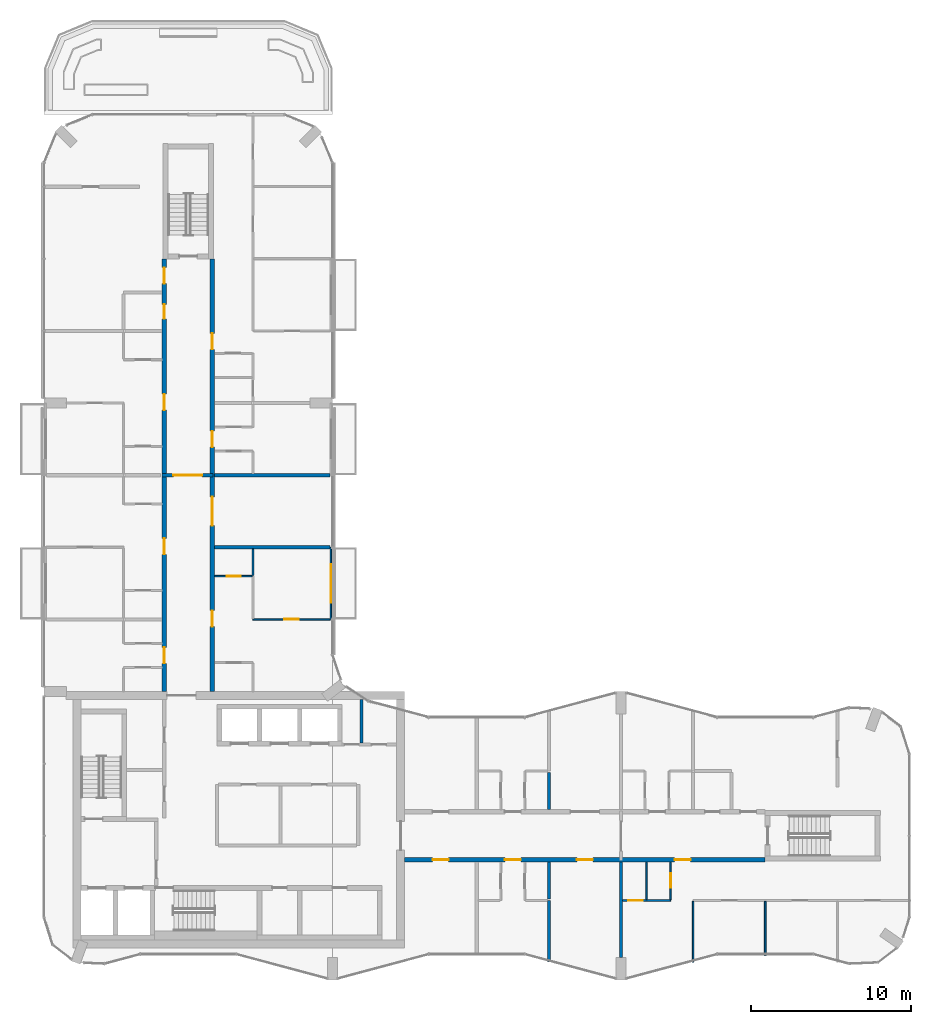
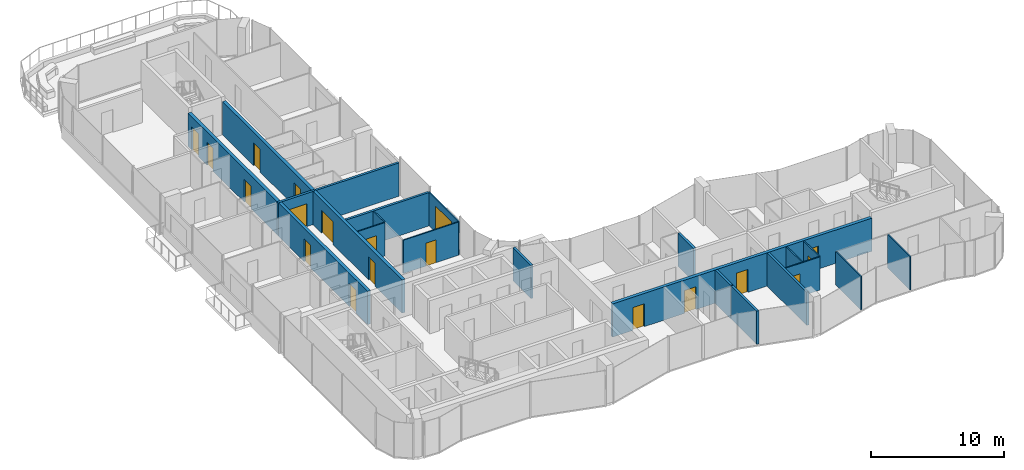
# One storey, part 11 of 17: 20 walls, 19 doors, 19 openings.
"""IFC4 building model written with IfcOpenShell, lengths in metres."""

from ifc_helpers import new_model, si_unit, direction, frame, frame_2d, origin, place, context, subcontext, project, spatial, rectangle, extrude, material, layer, layer_set, type_object, element, fill, save


model = new_model("IFC4")

# Units and contexts
model_context = context("Model", 3, precision=1e-05, world=origin(), true_north=direction((0.0, 1.0)))
body_context = subcontext(model_context, "Body", "Model", "MODEL_VIEW")
ifc_project = project(units=[si_unit("LENGTHUNIT", "METRE"), si_unit("AREAUNIT", "SQUARE_METRE"), si_unit("VOLUMEUNIT", "CUBIC_METRE"), si_unit("PLANEANGLEUNIT", "RADIAN"), si_unit("MASSUNIT", "GRAM", prefix="KILO")], contexts=[model_context])

# Site, building, storey
site_placement = place(None, origin())
site = spatial("IfcSite", under=ifc_project, at=site_placement, CompositionType="ELEMENT")
building_placement = place(site_placement, origin())
building = spatial("IfcBuilding", under=site, at=building_placement, Name="Plateau Cross Towers", CompositionType="ELEMENT")
storey_placement = place(building_placement, frame((0.0, 0.0, 225.89990234375)))
storey = spatial("IfcBuildingStorey", under=building, at=storey_placement, Name="L59", CompositionType="ELEMENT", Elevation=225.89990234375)

# Wall, opening, door
ifc_material_1 = material(Name="Aluminium framed glazing", Category="aluminium")
ifc_layer_1 = layer(ifc_material_1, 0.10009765625)
ifc_layer_set_1 = layer_set([ifc_layer_1], Name="Aluminium framed glazing")
wall_type_1 = type_object("IfcWallType", Name="Balcony screen wall 100", PredefinedType="STANDARD", material=ifc_layer_set_1)
wall_1_placement = place(storey_placement, frame((17.89990234375, 27.0, 0.0), z_axis=(0.0, 0.0, 1.0), x_axis=(0.0, -1.0, 0.0)))
wall_1 = element("IfcWall", 1, at=wall_1_placement, inside=storey, type_object=wall_type_1, Name="Balcony screen wall A-BAL-L59-03", PredefinedType="STANDARD", context=body_context, shape_type="SweptSolid", body=[
    extrude(rectangle(XDim=4.5, YDim=0.10009765625, at=frame_2d((2.25, 0.0))), origin(), (0.0, 0.0, 1.0), 3.050048828125),
])
opening_1_placement = place(wall_1_placement, frame((1.050048828125, 0.0, 0.0)))
opening_1 = element("IfcOpeningElement", 2, at=opening_1_placement, cuts=wall_1, Name="Opening D-B24", PredefinedType="OPENING", context=body_context, shape_type="SweptSolid", body=[
    extrude(rectangle(XDim=2.39990234375, YDim=2.39990234375, at=frame_2d((1.199951171875, 1.199951171875))), frame((0.0, 0.06005859375, 0.0), z_axis=(0.0, -1.0, 0.0), x_axis=(1.0, 0.0, 0.0)), (0.0, 0.0, 1.0), 0.1201171875),
])
ifc_material_2 = material(Name="Aluminium frame, double glazing", Category="aluminium")
door_type_1 = type_object("IfcDoorType", Name="Balcony sliding door 2400", OperationType="NOTDEFINED", PredefinedType="DOOR", material=ifc_material_2)
door_1_placement = place(opening_1_placement, origin())
door_1 = element("IfcDoor", 3, at=door_1_placement, inside=storey, type_object=door_type_1, Name="Balcony door A-BAL-L59-03", OperationType="SINGLE_SWING_LEFT", OverallHeight=2.39990234375, OverallWidth=2.39990234375, PredefinedType="DOOR", context=body_context, shape_type="SweptSolid", body=[
    extrude(rectangle(XDim=2.39990234375, YDim=2.39990234375, at=frame_2d((1.199951171875, 1.199951171875))), frame((0.0, 0.02490234375, 0.0), z_axis=(0.0, -1.0, 0.0), x_axis=(1.0, 0.0, 0.0)), (0.0, 0.0, 1.0), 0.050048828125),
])
fill(opening_1, door_1)

# Wall
ifc_material_3 = material(Name="Concrete block, plastered both sides", Category="concrete")
ifc_layer_2 = layer(ifc_material_3, 0.199951171875)
ifc_layer_set_2 = layer_set([ifc_layer_2], Name="Concrete block, plastered both sides")
wall_type_2 = type_object("IfcWallType", Name="Core partition 200", PredefinedType="PARTITIONING", material=ifc_layer_set_2)
wall_2_placement = place(storey_placement, frame((19.800048828125, 14.800048828125, 0.0), z_axis=(0.0, 0.0, 1.0), x_axis=(0.0, 1.0, 0.0)))
element("IfcWall", 4, at=wall_2_placement, inside=storey, type_object=wall_type_2, Name="Core partition", PredefinedType="PARTITIONING", context=body_context, shape_type="SweptSolid", body=[
    extrude(rectangle(XDim=2.699951171875, YDim=0.199951171875, at=frame_2d((1.35009765625, 0.0))), origin(), (0.0, 0.0, 1.0), 3.050048828125),
])

# Wall, openings, doors
ifc_material_4 = material(Name="Concrete C60/75", Category="concrete")
ifc_layer_3 = layer(ifc_material_4, 0.27490234375)
ifc_layer_set_3 = layer_set([ifc_layer_3], Name="Concrete C60/75")
wall_type_3 = type_object("IfcWallType", Name="Corridor wall 275", PredefinedType="SHEAR", material=ifc_layer_set_3)
wall_3_placement = place(storey_placement, frame((22.5, 7.5, 0.0), z_axis=(0.0, 0.0, 1.0), x_axis=(1.0, 0.0, 0.0)))
wall_3 = element("IfcWall", 5, at=wall_3_placement, inside=storey, type_object=wall_type_3, Name="A-cw-S1@L59", PredefinedType="SHEAR", context=body_context, shape_type="SweptSolid", body=[
    extrude(rectangle(XDim=22.5, YDim=0.27490234375, at=frame_2d((11.25, 0.0))), origin(), (0.0, 0.0, 1.0), 3.050048828125),
])
opening_2_placement = place(wall_3_placement, frame((1.75, 0.0, 0.0)))
opening_2 = element("IfcOpeningElement", 6, at=opening_2_placement, cuts=wall_3, Name="Opening 59-01", PredefinedType="OPENING", context=body_context, shape_type="SweptSolid", body=[
    extrude(rectangle(XDim=1.0, YDim=2.10009765625, at=frame_2d((0.5, 1.050048828125))), frame((0.0, 0.1474609375, 0.0), z_axis=(0.0, -1.0, 0.0), x_axis=(1.0, 0.0, 0.0)), (0.0, 0.0, 1.0), 0.294921875),
])
opening_3_placement = place(wall_3_placement, frame((6.25, 0.0, 0.0)))
opening_3 = element("IfcOpeningElement", 7, at=opening_3_placement, cuts=wall_3, Name="Opening 59-02", PredefinedType="OPENING", context=body_context, shape_type="SweptSolid", body=[
    extrude(rectangle(XDim=1.0, YDim=2.10009765625, at=frame_2d((0.5, 1.050048828125))), frame((0.0, 0.1474609375, 0.0), z_axis=(0.0, -1.0, 0.0), x_axis=(1.0, 0.0, 0.0)), (0.0, 0.0, 1.0), 0.294921875),
])
opening_4_placement = place(wall_3_placement, frame((10.75, 0.0, 0.0)))
opening_4 = element("IfcOpeningElement", 8, at=opening_4_placement, cuts=wall_3, Name="Opening 59-03", PredefinedType="OPENING", context=body_context, shape_type="SweptSolid", body=[
    extrude(rectangle(XDim=1.0, YDim=2.10009765625, at=frame_2d((0.5, 1.050048828125))), frame((0.0, 0.1474609375, 0.0), z_axis=(0.0, -1.0, 0.0), x_axis=(1.0, 0.0, 0.0)), (0.0, 0.0, 1.0), 0.294921875),
])
opening_5_placement = place(wall_3_placement, frame((16.85009765625, 0.0, 0.0)))
opening_5 = element("IfcOpeningElement", 9, at=opening_5_placement, cuts=wall_3, Name="Opening 59-04", PredefinedType="OPENING", context=body_context, shape_type="SweptSolid", body=[
    extrude(rectangle(XDim=1.0, YDim=2.10009765625, at=frame_2d((0.5, 1.050048828125))), frame((0.0, 0.1474609375, 0.0), z_axis=(0.0, -1.0, 0.0), x_axis=(1.0, 0.0, 0.0)), (0.0, 0.0, 1.0), 0.294921875),
])
ifc_material_5 = material(Name="Timber, fire-resisting leaf", Category="wood")
door_type_2 = type_object("IfcDoorType", Name="Flat entrance door 1000", OperationType="NOTDEFINED", PredefinedType="DOOR", material=ifc_material_5)
door_2_placement = place(opening_2_placement, origin())
door_2 = element("IfcDoor", 10, at=door_2_placement, inside=storey, type_object=door_type_2, Name="Door 59-01", OperationType="SINGLE_SWING_LEFT", OverallHeight=2.10009765625, OverallWidth=1.0, PredefinedType="DOOR", context=body_context, shape_type="SweptSolid", body=[
    extrude(rectangle(XDim=1.0, YDim=2.10009765625, at=frame_2d((0.5, 1.050048828125))), frame((0.0, 0.02490234375, 0.0), z_axis=(0.0, -1.0, 0.0), x_axis=(1.0, 0.0, 0.0)), (0.0, 0.0, 1.0), 0.050048828125),
])
fill(opening_2, door_2)
door_3_placement = place(opening_3_placement, origin())
door_3 = element("IfcDoor", 11, at=door_3_placement, inside=storey, type_object=door_type_2, Name="Door 59-02", OperationType="SINGLE_SWING_LEFT", OverallHeight=2.10009765625, OverallWidth=1.0, PredefinedType="DOOR", context=body_context, shape_type="SweptSolid", body=[
    extrude(rectangle(XDim=1.0, YDim=2.10009765625, at=frame_2d((0.5, 1.050048828125))), frame((0.0, 0.02490234375, 0.0), z_axis=(0.0, -1.0, 0.0), x_axis=(1.0, 0.0, 0.0)), (0.0, 0.0, 1.0), 0.050048828125),
])
fill(opening_3, door_3)
door_4_placement = place(opening_4_placement, origin())
door_4 = element("IfcDoor", 12, at=door_4_placement, inside=storey, type_object=door_type_2, Name="Door 59-03", OperationType="SINGLE_SWING_LEFT", OverallHeight=2.10009765625, OverallWidth=1.0, PredefinedType="DOOR", context=body_context, shape_type="SweptSolid", body=[
    extrude(rectangle(XDim=1.0, YDim=2.10009765625, at=frame_2d((0.5, 1.050048828125))), frame((0.0, 0.02490234375, 0.0), z_axis=(0.0, -1.0, 0.0), x_axis=(1.0, 0.0, 0.0)), (0.0, 0.0, 1.0), 0.050048828125),
])
fill(opening_4, door_4)
door_5_placement = place(opening_5_placement, origin())
door_5 = element("IfcDoor", 13, at=door_5_placement, inside=storey, type_object=door_type_2, Name="Door 59-04", OperationType="SINGLE_SWING_RIGHT", OverallHeight=2.10009765625, OverallWidth=1.0, PredefinedType="DOOR", context=body_context, shape_type="SweptSolid", body=[
    extrude(rectangle(XDim=1.0, YDim=2.10009765625, at=frame_2d((0.5, 1.050048828125))), frame((0.0, 0.02490234375, 0.0), z_axis=(0.0, -1.0, 0.0), x_axis=(1.0, 0.0, 0.0)), (0.0, 0.0, 1.0), 0.050048828125),
])
fill(opening_5, door_5)

wall_4_placement = place(storey_placement, frame((7.5, 18.0, 0.0), z_axis=(0.0, 0.0, 1.0), x_axis=(0.0, 1.0, 0.0)))
wall_4 = element("IfcWall", 14, at=wall_4_placement, inside=storey, type_object=wall_type_3, Name="A-cw-W1@L59", PredefinedType="SHEAR", context=body_context, shape_type="SweptSolid", body=[
    extrude(rectangle(XDim=27.0, YDim=0.27490234375, at=frame_2d((13.5, 0.0))), origin(), (0.0, 0.0, 1.0), 3.050048828125),
])
opening_6_placement = place(wall_4_placement, frame((1.75, 0.0, 0.0)))
opening_6 = element("IfcOpeningElement", 15, at=opening_6_placement, cuts=wall_4, Name="Opening 59-11", PredefinedType="OPENING", context=body_context, shape_type="SweptSolid", body=[
    extrude(rectangle(XDim=1.0, YDim=2.10009765625, at=frame_2d((0.5, 1.050048828125))), frame((0.0, 0.1474609375, 0.0), z_axis=(0.0, -1.0, 0.0), x_axis=(1.0, 0.0, 0.0)), (0.0, 0.0, 1.0), 0.294921875),
])
opening_7_placement = place(wall_4_placement, frame((8.550048828125, 0.0, 0.0)))
opening_7 = element("IfcOpeningElement", 16, at=opening_7_placement, cuts=wall_4, Name="Opening 59-12", PredefinedType="OPENING", context=body_context, shape_type="SweptSolid", body=[
    extrude(rectangle(XDim=1.0, YDim=2.10009765625, at=frame_2d((0.5, 1.050048828125))), frame((0.0, 0.1474609375, 0.0), z_axis=(0.0, -1.0, 0.0), x_axis=(1.0, 0.0, 0.0)), (0.0, 0.0, 1.0), 0.294921875),
])
opening_8_placement = place(wall_4_placement, frame((17.550048828125, 0.0, 0.0)))
opening_8 = element("IfcOpeningElement", 17, at=opening_8_placement, cuts=wall_4, Name="Opening 59-13", PredefinedType="OPENING", context=body_context, shape_type="SweptSolid", body=[
    extrude(rectangle(XDim=1.0, YDim=2.10009765625, at=frame_2d((0.5, 1.050048828125))), frame((0.0, 0.1474609375, 0.0), z_axis=(0.0, -1.0, 0.0), x_axis=(1.0, 0.0, 0.0)), (0.0, 0.0, 1.0), 0.294921875),
])
opening_9_placement = place(wall_4_placement, frame((23.25, 0.0, 0.0)))
opening_9 = element("IfcOpeningElement", 18, at=opening_9_placement, cuts=wall_4, Name="Opening 59-14", PredefinedType="OPENING", context=body_context, shape_type="SweptSolid", body=[
    extrude(rectangle(XDim=0.89990234375, YDim=2.10009765625, at=frame_2d((0.449951171875, 1.050048828125))), frame((0.0, 0.1474609375, 0.0), z_axis=(0.0, -1.0, 0.0), x_axis=(1.0, 0.0, 0.0)), (0.0, 0.0, 1.0), 0.294921875),
])
opening_10_placement = place(wall_4_placement, frame((25.449951171875, 0.0, 0.0)))
opening_10 = element("IfcOpeningElement", 19, at=opening_10_placement, cuts=wall_4, Name="Opening 59-15", PredefinedType="OPENING", context=body_context, shape_type="SweptSolid", body=[
    extrude(rectangle(XDim=1.0, YDim=2.10009765625, at=frame_2d((0.5, 1.050048828125))), frame((0.0, 0.1474609375, 0.0), z_axis=(0.0, -1.0, 0.0), x_axis=(1.0, 0.0, 0.0)), (0.0, 0.0, 1.0), 0.294921875),
])
door_6_placement = place(opening_6_placement, origin())
door_6 = element("IfcDoor", 20, at=door_6_placement, inside=storey, type_object=door_type_2, Name="Door 59-11", OperationType="SINGLE_SWING_LEFT", OverallHeight=2.10009765625, OverallWidth=1.0, PredefinedType="DOOR", context=body_context, shape_type="SweptSolid", body=[
    extrude(rectangle(XDim=1.0, YDim=2.10009765625, at=frame_2d((0.5, 1.050048828125))), frame((0.0, 0.02490234375, 0.0), z_axis=(0.0, -1.0, 0.0), x_axis=(1.0, 0.0, 0.0)), (0.0, 0.0, 1.0), 0.050048828125),
])
fill(opening_6, door_6)
door_7_placement = place(opening_7_placement, origin())
door_7 = element("IfcDoor", 21, at=door_7_placement, inside=storey, type_object=door_type_2, Name="Door 59-12", OperationType="SINGLE_SWING_LEFT", OverallHeight=2.10009765625, OverallWidth=1.0, PredefinedType="DOOR", context=body_context, shape_type="SweptSolid", body=[
    extrude(rectangle(XDim=1.0, YDim=2.10009765625, at=frame_2d((0.5, 1.050048828125))), frame((0.0, 0.02490234375, 0.0), z_axis=(0.0, -1.0, 0.0), x_axis=(1.0, 0.0, 0.0)), (0.0, 0.0, 1.0), 0.050048828125),
])
fill(opening_7, door_7)
door_8_placement = place(opening_8_placement, origin())
door_8 = element("IfcDoor", 22, at=door_8_placement, inside=storey, type_object=door_type_2, Name="Door 59-13", OperationType="SINGLE_SWING_RIGHT", OverallHeight=2.10009765625, OverallWidth=1.0, PredefinedType="DOOR", context=body_context, shape_type="SweptSolid", body=[
    extrude(rectangle(XDim=1.0, YDim=2.10009765625, at=frame_2d((0.5, 1.050048828125))), frame((0.0, 0.02490234375, 0.0), z_axis=(0.0, -1.0, 0.0), x_axis=(1.0, 0.0, 0.0)), (0.0, 0.0, 1.0), 0.050048828125),
])
fill(opening_8, door_8)
door_9_placement = place(opening_10_placement, origin())
door_9 = element("IfcDoor", 23, at=door_9_placement, inside=storey, type_object=door_type_2, Name="Door 59-15", OperationType="SINGLE_SWING_RIGHT", OverallHeight=2.10009765625, OverallWidth=1.0, PredefinedType="DOOR", context=body_context, shape_type="SweptSolid", body=[
    extrude(rectangle(XDim=1.0, YDim=2.10009765625, at=frame_2d((0.5, 1.050048828125))), frame((0.0, 0.02490234375, 0.0), z_axis=(0.0, -1.0, 0.0), x_axis=(1.0, 0.0, 0.0)), (0.0, 0.0, 1.0), 0.050048828125),
])
fill(opening_10, door_9)
door_type_3 = type_object("IfcDoorType", Name="Flat floor service door 900", OperationType="NOTDEFINED", PredefinedType="DOOR", material=ifc_material_5)
door_10_placement = place(opening_9_placement, origin())
door_10 = element("IfcDoor", 24, at=door_10_placement, inside=storey, type_object=door_type_3, Name="Door 59-14", OperationType="SINGLE_SWING_RIGHT", OverallHeight=2.10009765625, OverallWidth=0.89990234375, PredefinedType="DOOR", context=body_context, shape_type="SweptSolid", body=[
    extrude(rectangle(XDim=0.89990234375, YDim=2.10009765625, at=frame_2d((0.449951171875, 1.050048828125))), frame((0.0, 0.02490234375, 0.0), z_axis=(0.0, -1.0, 0.0), x_axis=(1.0, 0.0, 0.0)), (0.0, 0.0, 1.0), 0.050048828125),
])
fill(opening_9, door_10)

wall_5_placement = place(storey_placement, frame((10.5, 18.0, 0.0), z_axis=(0.0, 0.0, 1.0), x_axis=(0.0, 1.0, 0.0)))
wall_5 = element("IfcWall", 25, at=wall_5_placement, inside=storey, type_object=wall_type_3, Name="A-cw-W2@L59", PredefinedType="SHEAR", context=body_context, shape_type="SweptSolid", body=[
    extrude(rectangle(XDim=27.0, YDim=0.27490234375, at=frame_2d((13.5, 0.0))), origin(), (0.0, 0.0, 1.0), 3.050048828125),
])
opening_11_placement = place(wall_5_placement, frame((4.050048828125, 0.0, 0.0)))
opening_11 = element("IfcOpeningElement", 26, at=opening_11_placement, cuts=wall_5, Name="Opening 59-16", PredefinedType="OPENING", context=body_context, shape_type="SweptSolid", body=[
    extrude(rectangle(XDim=1.0, YDim=2.10009765625, at=frame_2d((0.5, 1.050048828125))), frame((0.0, 0.1474609375, 0.0), z_axis=(0.0, -1.0, 0.0), x_axis=(1.0, 0.0, 0.0)), (0.0, 0.0, 1.0), 0.294921875),
])
opening_12_placement = place(wall_5_placement, frame((10.35009765625, 0.0, 0.0)))
opening_12 = element("IfcOpeningElement", 27, at=opening_12_placement, cuts=wall_5, Name="Opening 59-17", PredefinedType="OPENING", context=body_context, shape_type="SweptSolid", body=[
    extrude(rectangle(XDim=1.800048828125, YDim=2.10009765625, at=frame_2d((0.89990234375, 1.050048828125))), frame((0.0, 0.1474609375, 0.0), z_axis=(0.0, -1.0, 0.0), x_axis=(1.0, 0.0, 0.0)), (0.0, 0.0, 1.0), 0.294921875),
])
opening_13_placement = place(wall_5_placement, frame((15.25, 0.0, 0.0)))
opening_13 = element("IfcOpeningElement", 28, at=opening_13_placement, cuts=wall_5, Name="Opening 59-18", PredefinedType="OPENING", context=body_context, shape_type="SweptSolid", body=[
    extrude(rectangle(XDim=1.0, YDim=2.10009765625, at=frame_2d((0.5, 1.050048828125))), frame((0.0, 0.1474609375, 0.0), z_axis=(0.0, -1.0, 0.0), x_axis=(1.0, 0.0, 0.0)), (0.0, 0.0, 1.0), 0.294921875),
])
opening_14_placement = place(wall_5_placement, frame((21.35009765625, 0.0, 0.0)))
opening_14 = element("IfcOpeningElement", 29, at=opening_14_placement, cuts=wall_5, Name="Opening 59-19", PredefinedType="OPENING", context=body_context, shape_type="SweptSolid", body=[
    extrude(rectangle(XDim=1.0, YDim=2.10009765625, at=frame_2d((0.5, 1.050048828125))), frame((0.0, 0.1474609375, 0.0), z_axis=(0.0, -1.0, 0.0), x_axis=(1.0, 0.0, 0.0)), (0.0, 0.0, 1.0), 0.294921875),
])
door_11_placement = place(opening_11_placement, origin())
door_11 = element("IfcDoor", 30, at=door_11_placement, inside=storey, type_object=door_type_2, Name="Door 59-16", OperationType="SINGLE_SWING_LEFT", OverallHeight=2.10009765625, OverallWidth=1.0, PredefinedType="DOOR", context=body_context, shape_type="SweptSolid", body=[
    extrude(rectangle(XDim=1.0, YDim=2.10009765625, at=frame_2d((0.5, 1.050048828125))), frame((0.0, 0.02490234375, 0.0), z_axis=(0.0, -1.0, 0.0), x_axis=(1.0, 0.0, 0.0)), (0.0, 0.0, 1.0), 0.050048828125),
])
fill(opening_11, door_11)
door_12_placement = place(opening_13_placement, origin())
door_12 = element("IfcDoor", 31, at=door_12_placement, inside=storey, type_object=door_type_2, Name="Door 59-18", OperationType="SINGLE_SWING_RIGHT", OverallHeight=2.10009765625, OverallWidth=1.0, PredefinedType="DOOR", context=body_context, shape_type="SweptSolid", body=[
    extrude(rectangle(XDim=1.0, YDim=2.10009765625, at=frame_2d((0.5, 1.050048828125))), frame((0.0, 0.02490234375, 0.0), z_axis=(0.0, -1.0, 0.0), x_axis=(1.0, 0.0, 0.0)), (0.0, 0.0, 1.0), 0.050048828125),
])
fill(opening_13, door_12)
door_13_placement = place(opening_14_placement, origin())
door_13 = element("IfcDoor", 32, at=door_13_placement, inside=storey, type_object=door_type_2, Name="Door 59-19", OperationType="SINGLE_SWING_RIGHT", OverallHeight=2.10009765625, OverallWidth=1.0, PredefinedType="DOOR", context=body_context, shape_type="SweptSolid", body=[
    extrude(rectangle(XDim=1.0, YDim=2.10009765625, at=frame_2d((0.5, 1.050048828125))), frame((0.0, 0.02490234375, 0.0), z_axis=(0.0, -1.0, 0.0), x_axis=(1.0, 0.0, 0.0)), (0.0, 0.0, 1.0), 0.050048828125),
])
fill(opening_14, door_13)
ifc_material_6 = material(Name="Timber, fire-resisting leaves", Category="wood")
door_type_4 = type_object("IfcDoorType", Name="Flat floor fire door pair 1800", OperationType="NOTDEFINED", PredefinedType="DOOR", material=ifc_material_6)
door_14_placement = place(opening_12_placement, origin())
door_14 = element("IfcDoor", 33, at=door_14_placement, inside=storey, type_object=door_type_4, Name="Door 59-17", OperationType="SINGLE_SWING_LEFT", OverallHeight=2.10009765625, OverallWidth=1.800048828125, PredefinedType="DOOR", context=body_context, shape_type="SweptSolid", body=[
    extrude(rectangle(XDim=1.800048828125, YDim=2.10009765625, at=frame_2d((0.89990234375, 1.050048828125))), frame((0.0, 0.02490234375, 0.0), z_axis=(0.0, -1.0, 0.0), x_axis=(1.0, 0.0, 0.0)), (0.0, 0.0, 1.0), 0.050048828125),
])
fill(opening_12, door_14)

# Wall, opening, door
ifc_material_7 = material(Name="Gypsum board on steel studs", Category="steel")
ifc_layer_4 = layer(ifc_material_7, 0.10009765625)
ifc_layer_set_4 = layer_set([ifc_layer_4], Name="Gypsum board on steel studs")
wall_type_4 = type_object("IfcWallType", Name="Flat partition 100", PredefinedType="PARTITIONING", material=ifc_layer_set_4)
wall_6_placement = place(storey_placement, frame((36.10009765625, 4.96240234375, 0.0), z_axis=(0.0, 0.0, 1.0), x_axis=(1.0, 0.0, 0.0)))
wall_6 = element("IfcWall", 34, at=wall_6_placement, inside=storey, type_object=wall_type_4, Name="Partition wall", PredefinedType="PARTITIONING", context=body_context, shape_type="SweptSolid", body=[
    extrude(rectangle(XDim=3.0, YDim=0.10009765625, at=frame_2d((1.5, 0.0))), origin(), (0.0, 0.0, 1.0), 3.050048828125),
])
opening_15_placement = place(wall_6_placement, frame((0.35009765625, 0.0, 0.0)))
opening_15 = element("IfcOpeningElement", 35, at=opening_15_placement, cuts=wall_6, Name="Opening 59-26", PredefinedType="OPENING", context=body_context, shape_type="SweptSolid", body=[
    extrude(rectangle(XDim=0.89990234375, YDim=2.10009765625, at=frame_2d((0.449951171875, 1.050048828125))), frame((0.0, 0.06005859375, 0.0), z_axis=(0.0, -1.0, 0.0), x_axis=(1.0, 0.0, 0.0)), (0.0, 0.0, 1.0), 0.1201171875),
])
ifc_material_8 = material(Name="Timber leaf", Category="wood")
door_type_5 = type_object("IfcDoorType", Name="Flat room door 900", OperationType="NOTDEFINED", PredefinedType="DOOR", material=ifc_material_8)
door_15_placement = place(opening_15_placement, origin())
door_15 = element("IfcDoor", 36, at=door_15_placement, inside=storey, type_object=door_type_5, Name="Door 59-26", OperationType="SINGLE_SWING_LEFT", OverallHeight=2.10009765625, OverallWidth=0.89990234375, PredefinedType="DOOR", context=body_context, shape_type="SweptSolid", body=[
    extrude(rectangle(XDim=0.89990234375, YDim=2.10009765625, at=frame_2d((0.449951171875, 1.050048828125))), frame((0.0, 0.02490234375, 0.0), z_axis=(0.0, -1.0, 0.0), x_axis=(1.0, 0.0, 0.0)), (0.0, 0.0, 1.0), 0.050048828125),
])
fill(opening_15, door_15)

wall_7_placement = place(storey_placement, frame((13.03759765625, 22.5, 0.0), z_axis=(0.0, 0.0, 1.0), x_axis=(1.0, 0.0, 0.0)))
wall_7 = element("IfcWall", 37, at=wall_7_placement, inside=storey, type_object=wall_type_4, Name="Partition wall", PredefinedType="PARTITIONING", context=body_context, shape_type="SweptSolid", body=[
    extrude(rectangle(XDim=4.8125, YDim=0.10009765625, at=frame_2d((2.40625, 0.0))), origin(), (0.0, 0.0, 1.0), 3.050048828125),
])
opening_16_placement = place(wall_7_placement, frame((1.949951171875, 0.0, 0.0)))
opening_16 = element("IfcOpeningElement", 38, at=opening_16_placement, cuts=wall_7, Name="Opening 59-45", PredefinedType="OPENING", context=body_context, shape_type="SweptSolid", body=[
    extrude(rectangle(XDim=0.89990234375, YDim=2.10009765625, at=frame_2d((0.449951171875, 1.050048828125))), frame((0.0, 0.06005859375, 0.0), z_axis=(0.0, -1.0, 0.0), x_axis=(1.0, 0.0, 0.0)), (0.0, 0.0, 1.0), 0.1201171875),
])
door_16_placement = place(opening_16_placement, origin())
door_16 = element("IfcDoor", 39, at=door_16_placement, inside=storey, type_object=door_type_5, Name="Door 59-45", OperationType="SINGLE_SWING_LEFT", OverallHeight=2.10009765625, OverallWidth=0.89990234375, PredefinedType="DOOR", context=body_context, shape_type="SweptSolid", body=[
    extrude(rectangle(XDim=0.89990234375, YDim=2.10009765625, at=frame_2d((0.449951171875, 1.050048828125))), frame((0.0, 0.02490234375, 0.0), z_axis=(0.0, -1.0, 0.0), x_axis=(1.0, 0.0, 0.0)), (0.0, 0.0, 1.0), 0.050048828125),
])
fill(opening_16, door_16)

wall_8_placement = place(storey_placement, frame((10.637451171875, 25.199951171875, 0.0), z_axis=(0.0, 0.0, 1.0), x_axis=(1.0, 0.0, 0.0)))
wall_8 = element("IfcWall", 40, at=wall_8_placement, inside=storey, type_object=wall_type_4, Name="Partition wall", PredefinedType="PARTITIONING", context=body_context, shape_type="SweptSolid", body=[
    extrude(rectangle(XDim=2.35009765625, YDim=0.10009765625, at=frame_2d((1.175048828125, 0.0))), origin(), (0.0, 0.0, 1.0), 3.050048828125),
])
opening_17_placement = place(wall_8_placement, frame((0.75, 0.0, 0.0)))
opening_17 = element("IfcOpeningElement", 41, at=opening_17_placement, cuts=wall_8, Name="Opening 59-44", PredefinedType="OPENING", context=body_context, shape_type="SweptSolid", body=[
    extrude(rectangle(XDim=0.89990234375, YDim=2.10009765625, at=frame_2d((0.449951171875, 1.050048828125))), frame((0.0, 0.06005859375, 0.0), z_axis=(0.0, -1.0, 0.0), x_axis=(1.0, 0.0, 0.0)), (0.0, 0.0, 1.0), 0.1201171875),
])
door_17_placement = place(opening_17_placement, origin())
door_17 = element("IfcDoor", 42, at=door_17_placement, inside=storey, type_object=door_type_5, Name="Door 59-44", OperationType="SINGLE_SWING_RIGHT", OverallHeight=2.10009765625, OverallWidth=0.89990234375, PredefinedType="DOOR", context=body_context, shape_type="SweptSolid", body=[
    extrude(rectangle(XDim=0.89990234375, YDim=2.10009765625, at=frame_2d((0.449951171875, 1.050048828125))), frame((0.0, 0.02490234375, 0.0), z_axis=(0.0, -1.0, 0.0), x_axis=(1.0, 0.0, 0.0)), (0.0, 0.0, 1.0), 0.050048828125),
])
fill(opening_17, door_17)

# Walls
wall_9_placement = place(storey_placement, frame((13.03759765625, 25.25, 0.0), z_axis=(0.0, 0.0, 1.0), x_axis=(0.0, 1.0, 0.0)))
element("IfcWall", 43, at=wall_9_placement, inside=storey, type_object=wall_type_4, Name="Partition wall", PredefinedType="PARTITIONING", context=body_context, shape_type="SweptSolid", body=[
    extrude(rectangle(XDim=1.64990234375, YDim=0.10009765625, at=frame_2d((0.824951171875, 0.0))), origin(), (0.0, 0.0, 1.0), 3.050048828125),
])
wall_10_placement = place(storey_placement, frame((37.60009765625, 5.012451171875, 0.0), z_axis=(0.0, 0.0, 1.0), x_axis=(0.0, 1.0, 0.0)))
element("IfcWall", 44, at=wall_10_placement, inside=storey, type_object=wall_type_4, Name="Partition wall", PredefinedType="PARTITIONING", context=body_context, shape_type="SweptSolid", body=[
    extrude(rectangle(XDim=2.35009765625, YDim=0.10009765625, at=frame_2d((1.175048828125, 0.0))), origin(), (0.0, 0.0, 1.0), 3.050048828125),
])

# Wall, opening, door
wall_11_placement = place(storey_placement, frame((39.10009765625, 5.012451171875, 0.0), z_axis=(0.0, 0.0, 1.0), x_axis=(0.0, 1.0, 0.0)))
wall_11 = element("IfcWall", 45, at=wall_11_placement, inside=storey, type_object=wall_type_4, Name="Partition wall", PredefinedType="PARTITIONING", context=body_context, shape_type="SweptSolid", body=[
    extrude(rectangle(XDim=2.35009765625, YDim=0.10009765625, at=frame_2d((1.175048828125, 0.0))), origin(), (0.0, 0.0, 1.0), 3.050048828125),
])
opening_18_placement = place(wall_11_placement, frame((0.75, 0.0, 0.0)))
opening_18 = element("IfcOpeningElement", 46, at=opening_18_placement, cuts=wall_11, Name="Opening 59-27", PredefinedType="OPENING", context=body_context, shape_type="SweptSolid", body=[
    extrude(rectangle(XDim=0.89990234375, YDim=2.10009765625, at=frame_2d((0.449951171875, 1.050048828125))), frame((0.0, 0.06005859375, 0.0), z_axis=(0.0, -1.0, 0.0), x_axis=(1.0, 0.0, 0.0)), (0.0, 0.0, 1.0), 0.1201171875),
])
door_18_placement = place(opening_18_placement, origin())
door_18 = element("IfcDoor", 47, at=door_18_placement, inside=storey, type_object=door_type_5, Name="Door 59-27", OperationType="SINGLE_SWING_RIGHT", OverallHeight=2.10009765625, OverallWidth=0.89990234375, PredefinedType="DOOR", context=body_context, shape_type="SweptSolid", body=[
    extrude(rectangle(XDim=0.89990234375, YDim=2.10009765625, at=frame_2d((0.449951171875, 1.050048828125))), frame((0.0, 0.02490234375, 0.0), z_axis=(0.0, -1.0, 0.0), x_axis=(1.0, 0.0, 0.0)), (0.0, 0.0, 1.0), 0.050048828125),
])
fill(opening_18, door_18)

# Walls
wall_12_placement = place(storey_placement, frame((40.5, 4.91259765625, 0.0), z_axis=(0.0, 0.0, 1.0), x_axis=(0.0, -1.0, 0.0)))
element("IfcWall", 48, at=wall_12_placement, inside=storey, type_object=wall_type_4, Name="Partition wall", PredefinedType="PARTITIONING", context=body_context, shape_type="SweptSolid", body=[
    extrude(rectangle(XDim=3.790283203125, YDim=0.10009765625, at=frame_2d((1.89501953125, 0.0))), origin(), (0.0, 0.0, 1.0), 3.050048828125),
])
wall_13_placement = place(storey_placement, frame((45.0, 1.52685546875, 0.0), z_axis=(0.0, 0.0, 1.0), x_axis=(0.0, 1.0, 0.0)))
element("IfcWall", 49, at=wall_13_placement, inside=storey, type_object=wall_type_4, Name="Partition wall", PredefinedType="PARTITIONING", context=body_context, shape_type="SweptSolid", body=[
    extrude(rectangle(XDim=3.3857421875, YDim=0.10009765625, at=frame_2d((1.69287109375, 0.0))), origin(), (0.0, 0.0, 1.0), 3.050048828125),
])
ifc_material_9 = material(Name="Gypsum board on steel studs, two layers each side", Category="steel")
ifc_layer_5 = layer(ifc_material_9, 0.199951171875)
ifc_layer_set_5 = layer_set([ifc_layer_5], Name="Gypsum board on steel studs, two layers each side")
wall_type_5 = type_object("IfcWallType", Name="Flat party wall 200", PredefinedType="PARTITIONING", material=ifc_layer_set_5)
for number, where, z_axis, x_axis, name in (
    (50, (17.85009765625, 27.0, 0.0), (0.0, 0.0, 1.0), (-1.0, 0.0, 0.0), "Party wall"),
    (51, (17.85009765625, 31.5, 0.0), (0.0, 0.0, 1.0), (-1.0, 0.0, 0.0), "Party wall"),
):
    element("IfcWall", number, at=place(storey_placement, frame(where, z_axis=z_axis, x_axis=x_axis)), inside=storey, type_object=wall_type_5, Name=name, PredefinedType="PARTITIONING", context=body_context, shape_type="SweptSolid", body=[
        extrude(rectangle(XDim=7.212646484375, YDim=0.199951171875, at=frame_2d((3.6064453125, 0.0))), origin(), (0.0, 0.0, 1.0), 3.050048828125),
    ])
wall_14_placement = place(storey_placement, frame((31.5, 4.96240234375, 0.0), z_axis=(0.0, 0.0, 1.0), x_axis=(0.0, -1.0, 0.0)))
element("IfcWall", 52, at=wall_14_placement, inside=storey, type_object=wall_type_5, Name="Party wall", PredefinedType="PARTITIONING", context=body_context, shape_type="SweptSolid", body=[
    extrude(rectangle(XDim=3.840087890625, YDim=0.199951171875, at=frame_2d((1.919921875, 0.0))), origin(), (0.0, 0.0, 1.0), 3.050048828125),
])
for number, where, z_axis, x_axis, name in (
    (53, (31.5, 5.0625, 0.0), (0.0, 0.0, 1.0), (0.0, 1.0, 0.0), "Party wall"),
    (54, (31.5, 10.637451171875, 0.0), (0.0, 0.0, 1.0), (0.0, 1.0, 0.0), "Party wall"),
):
    element("IfcWall", number, at=place(storey_placement, frame(where, z_axis=z_axis, x_axis=x_axis)), inside=storey, type_object=wall_type_5, Name=name, PredefinedType="PARTITIONING", context=body_context, shape_type="SweptSolid", body=[
        extrude(rectangle(XDim=2.300048828125, YDim=0.199951171875, at=frame_2d((1.14990234375, 0.0))), origin(), (0.0, 0.0, 1.0), 3.050048828125),
    ])
wall_15_placement = place(storey_placement, frame((36.0, 1.39990234375, 0.0), z_axis=(0.0, 0.0, 1.0), x_axis=(0.0, 1.0, 0.0)))
element("IfcWall", 55, at=wall_15_placement, inside=storey, type_object=wall_type_5, Name="Party wall", PredefinedType="PARTITIONING", context=body_context, shape_type="SweptSolid", body=[
    extrude(rectangle(XDim=5.962646484375, YDim=0.199951171875, at=frame_2d((2.9814453125, 0.0))), origin(), (0.0, 0.0, 1.0), 3.050048828125),
])

# Wall, opening, door
wall_16_placement = place(storey_placement, frame((7.362548828125, 31.5, 0.0), z_axis=(0.0, 0.0, 1.0), x_axis=(1.0, 0.0, 0.0)))
wall_16 = element("IfcWall", 56, at=wall_16_placement, inside=storey, type_object=wall_type_5, Name="Party wall", PredefinedType="PARTITIONING", context=body_context, shape_type="SweptSolid", body=[
    extrude(rectangle(XDim=3.175048828125, YDim=0.199951171875, at=frame_2d((1.58740234375, 0.0))), origin(), (0.0, 0.0, 1.0), 3.050048828125),
])
opening_19_placement = place(wall_16_placement, frame((0.699951171875, 0.0, 0.0)))
opening_19 = element("IfcOpeningElement", 57, at=opening_19_placement, cuts=wall_16, Name="Opening 59-21", PredefinedType="OPENING", context=body_context, shape_type="SweptSolid", body=[
    extrude(rectangle(XDim=1.800048828125, YDim=2.10009765625, at=frame_2d((0.89990234375, 1.050048828125))), frame((0.0, 0.10986328125, 0.0), z_axis=(0.0, -1.0, 0.0), x_axis=(1.0, 0.0, 0.0)), (0.0, 0.0, 1.0), 0.219970703125),
])
door_19_placement = place(opening_19_placement, origin())
door_19 = element("IfcDoor", 58, at=door_19_placement, inside=storey, type_object=door_type_4, Name="Door 59-21", OperationType="SINGLE_SWING_RIGHT", OverallHeight=2.10009765625, OverallWidth=1.800048828125, PredefinedType="DOOR", context=body_context, shape_type="SweptSolid", body=[
    extrude(rectangle(XDim=1.800048828125, YDim=2.10009765625, at=frame_2d((0.89990234375, 1.050048828125))), frame((0.0, 0.02490234375, 0.0), z_axis=(0.0, -1.0, 0.0), x_axis=(1.0, 0.0, 0.0)), (0.0, 0.0, 1.0), 0.050048828125),
])
fill(opening_19, door_19)

save(model, "model.ifc")
